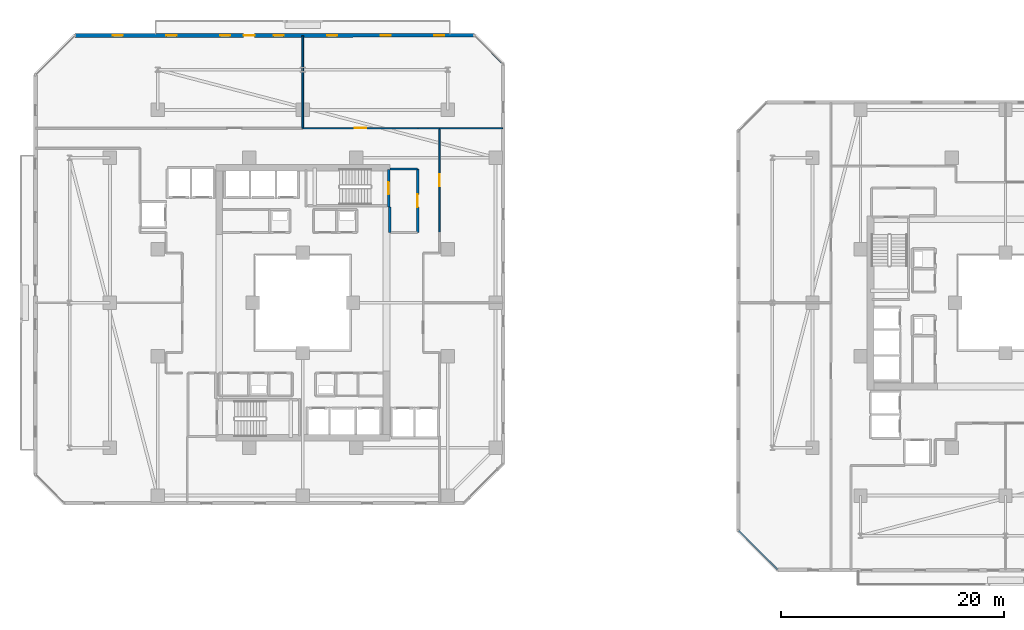
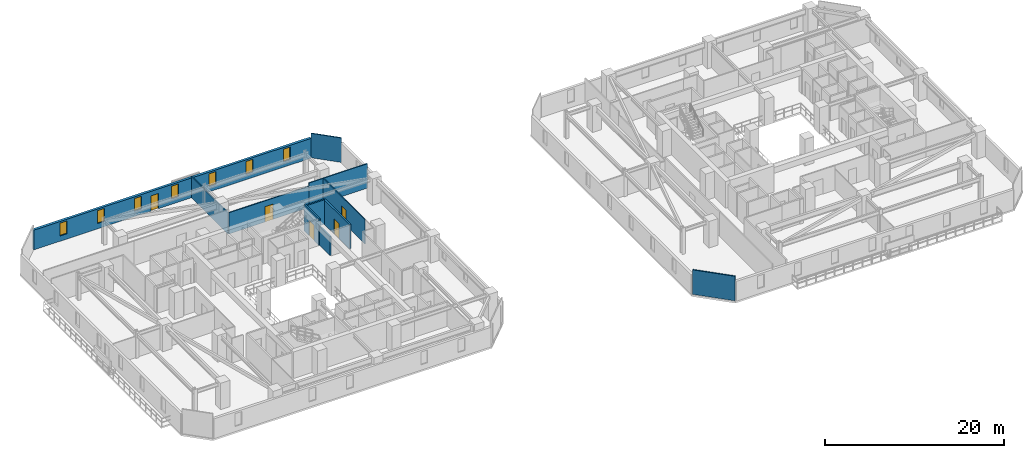
# One storey, part 22 of 33: 12 walls, 7 windows, 5 doors, 12 openings.
"""IFC4 building model written with IfcOpenShell, lengths in metres."""

import ifcopenshell
import ifcopenshell.guid

model = None  # the IFC model being written
_history = None  # IfcOwnerHistory: only IFC2X3 demands one
_inside = {}  # id of a spatial element -> (the spatial element, [elements in it])
_under = {}  # id of a project, library or spatial element -> (it, [spatial elements below it])
_declared = {}  # id of a project -> (the project, [libraries it declares])
_typed = {}  # id of a type object -> (the type object, [elements of that type])
_made_of = {}  # id of a material, layer set ... -> (it, [elements and type objects made of it])


def new_model(schema):
    """Start an empty IFC model of exactly this schema.

    Asked for "IFC4X3", IfcOpenShell would pick the latest addendum, in which some entities
    have other attributes; the version numbers below select the first issue.
    IFC2X3 requires an IfcOwnerHistory on every rooted entity: one is made here for all.
    """
    global model, _history
    if schema == "IFC4X3":
        model = ifcopenshell.file(schema_version=(4, 3, 0, 0))
    else:
        model = ifcopenshell.file(schema=schema)
    _inside.clear()
    _under.clear()
    _declared.clear()
    _typed.clear()
    _made_of.clear()
    _history = None
    if model.schema == "IFC2X3":
        org = make("IfcOrganization", Name="unknown")
        user = make(
            "IfcPersonAndOrganization",
            ThePerson=make("IfcPerson", FamilyName="unknown"),
            TheOrganization=org,
        )
        app = make(
            "IfcApplication",
            ApplicationDeveloper=org,
            Version="unknown",
            ApplicationFullName="unknown",
            ApplicationIdentifier="unknown",
        )
        _history = make(
            "IfcOwnerHistory",
            OwningUser=user,
            OwningApplication=app,
            ChangeAction="ADDED",
            CreationDate=0,
        )
    return model


def make(cls, **values):
    """One entity of the class cls with the attributes given. An attribute that is None is left unset."""
    return model.create_entity(
        cls, **{name: value for name, value in values.items() if value is not None}
    )


def rooted(cls, **values):
    """An entity with a GlobalId (a new one), such as an element, a storey or a relation."""
    return make(cls, GlobalId=ifcopenshell.guid.new(), OwnerHistory=_history, **values)


def si_unit(unit_type, name, prefix=None):
    """IfcSIUnit, for example si_unit("LENGTHUNIT", "METRE", prefix="MILLI")."""
    return make("IfcSIUnit", UnitType=unit_type, Prefix=prefix, Name=name)


def assignment(units):
    """IfcUnitAssignment: the units of a project."""
    return None if units is None else make("IfcUnitAssignment", Units=units)


def point(xyz):
    """IfcCartesianPoint."""
    return None if xyz is None else make("IfcCartesianPoint", Coordinates=xyz)


def direction(xyz):
    """IfcDirection."""
    return None if xyz is None else make("IfcDirection", DirectionRatios=xyz)


def frame(location, z_axis=None, x_axis=None):
    """IfcAxis2Placement3D, a coordinate frame: its origin and axes. An axis left out is left unset."""
    return make(
        "IfcAxis2Placement3D",
        Location=point(location),
        Axis=direction(z_axis),
        RefDirection=direction(x_axis),
    )


def frame_2d(location, x_axis=None):
    """IfcAxis2Placement2D, a coordinate frame in the plane: its origin and x axis."""
    return make(
        "IfcAxis2Placement2D", Location=point(location), RefDirection=direction(x_axis)
    )


def origin():
    """The frame at (0, 0, 0) with its axes left unset."""
    return frame((0.0, 0.0, 0.0))


def place(relative_to, where):
    """IfcLocalPlacement: puts the frame where relative to a parent placement (None: the world)."""
    return make(
        "IfcLocalPlacement", PlacementRelTo=relative_to, RelativePlacement=where
    )


def context(
    kind, dimensions, precision=None, world=None, true_north=None, identifier=None
):
    """IfcGeometricRepresentationContext, for example the 3D "Model" context."""
    return make(
        "IfcGeometricRepresentationContext",
        ContextIdentifier=identifier,
        ContextType=kind,
        CoordinateSpaceDimension=dimensions,
        Precision=precision,
        WorldCoordinateSystem=world,
        TrueNorth=true_north,
    )


def subcontext(parent, identifier, kind, view, scale=None):
    """IfcGeometricRepresentationSubContext, for example "Body" below "Model"."""
    return make(
        "IfcGeometricRepresentationSubContext",
        ContextIdentifier=identifier,
        ContextType=kind,
        ParentContext=parent,
        TargetScale=scale,
        TargetView=view,
    )


def project(units=None, contexts=None):
    """IfcProject with its units and contexts."""
    return rooted(
        "IfcProject",
        Name="project",
        RepresentationContexts=contexts,
        UnitsInContext=assignment(units),
    )


def spatial(cls, under=None, at=None, **own):
    """A site, building, storey or space (cls), placed at a placement, below another one or the project."""
    s = rooted(cls, ObjectPlacement=at, **own)
    if under is not None:
        _under.setdefault(under.id(), (under, []))[1].append(s)
    return s


def profile(cls, at=None, kind="AREA", **sizes):
    """A parametric profile (cls). Its sizes go by their IFC names, for example OverallWidth=200.0."""
    return make(cls, ProfileType=kind, Position=at, **sizes)


def rectangle(**sizes):
    """IfcRectangleProfileDef."""
    return profile("IfcRectangleProfileDef", **sizes)


def extrude(swept, where, along, depth):
    """IfcExtrudedAreaSolid: the profile swept, set in the frame where, extruded along a direction by depth."""
    return make(
        "IfcExtrudedAreaSolid",
        SweptArea=swept,
        Position=where,
        ExtrudedDirection=direction(along),
        Depth=depth,
    )


def shape(context_of_items, identifier, shape_type, items):
    """IfcShapeRepresentation: the items that make up one representation, for example the "Body"."""
    return make(
        "IfcShapeRepresentation",
        ContextOfItems=context_of_items,
        RepresentationIdentifier=identifier,
        RepresentationType=shape_type,
        Items=items,
    )


def material(Name=None, Category=None):
    """IfcMaterial."""
    return make("IfcMaterial", Name=Name, Category=Category)


def layer(
    of_material, thickness, ventilated=None, Name=None, Category=None, Priority=None
):
    """IfcMaterialLayer: one layer of a wall or slab, of a material (None: an air gap)."""
    return make(
        "IfcMaterialLayer",
        Material=of_material,
        LayerThickness=thickness,
        IsVentilated=ventilated,
        Name=Name,
        Category=Category,
        Priority=Priority,
    )


def layer_set(layers, Name=None):
    """IfcMaterialLayerSet."""
    return make("IfcMaterialLayerSet", MaterialLayers=layers, LayerSetName=Name)


def made_of(thing, what):
    """Note that an element or type object is made of a material, layer set ...; save() writes the relation."""
    if what is not None:
        _made_of.setdefault(what.id(), (what, []))[1].append(thing)
    return thing


def type_object(cls, material=None, **own):
    """A type object (cls), such as IfcWallType, which elements share."""
    return made_of(rooted(cls, **own), material)


def element(
    cls,
    number,
    at=None,
    inside=None,
    cuts=None,
    type_object=None,
    material=None,
    context=None,
    identifier="Body",
    shape_type=None,
    held_by="IfcProductDefinitionShape",
    body=None,
    shapes=None,
    **own,
):
    """One element of the class cls, such as IfcWall. Its Tag is "e" and its number.

    at: its placement. inside: the storey or other place that contains it. cuts: it is an
    opening in that element (IfcRelVoidsElement). A single representation is given by context,
    identifier, shape_type and body (its items); several are given by shapes. held_by: the class
    of the entity that holds the representations. save() writes the other relations.
    """
    e = rooted(cls, Tag="e%d" % number, ObjectPlacement=at, **own)
    if body is not None:
        shapes = [shape(context, identifier, shape_type, body)]
    if shapes is not None:
        e.Representation = make(held_by, Representations=shapes)
    if inside is not None:
        _inside.setdefault(inside.id(), (inside, []))[1].append(e)
    if cuts is not None:
        rooted(
            "IfcRelVoidsElement", RelatingBuildingElement=cuts, RelatedOpeningElement=e
        )
    if type_object is not None:
        _typed.setdefault(type_object.id(), (type_object, []))[1].append(e)
    return made_of(e, material)


def fill(opening, filler):
    """IfcRelFillsElement: the door or window that sits in an opening."""
    return rooted(
        "IfcRelFillsElement",
        RelatingOpeningElement=opening,
        RelatedBuildingElement=filler,
    )


def aggregate(whole, parts):
    """IfcRelAggregates: a whole, such as a stair, and the parts it consists of."""
    return rooted("IfcRelAggregates", RelatingObject=whole, RelatedObjects=parts)


def save(model, path):
    """Write the relations noted so far, then the file.

    IfcRelAggregates (storeys below a building ...), IfcRelContainedInSpatialStructure (elements
    in a storey), IfcRelDefinesByType, IfcRelAssociatesMaterial and IfcRelDeclares: one each for
    every whole, place, type object, material and project.
    """
    for whole, parts in _under.values():
        aggregate(whole, parts)
    for where, things in _inside.values():
        rooted(
            "IfcRelContainedInSpatialStructure",
            RelatedElements=things,
            RelatingStructure=where,
        )
    for kind, things in _typed.values():
        rooted("IfcRelDefinesByType", RelatedObjects=things, RelatingType=kind)
    for what, things in _made_of.values():
        rooted("IfcRelAssociatesMaterial", RelatedObjects=things, RelatingMaterial=what)
    for by, libraries in _declared.values():
        rooted("IfcRelDeclares", RelatingContext=by, RelatedDefinitions=libraries)
    model.write(path)


model = new_model("IFC4")

# Units and contexts
model_context = context("Model", 3, precision=1e-05, world=origin(), true_north=direction((0.0, 1.0)))
body_context = subcontext(model_context, "Body", "Model", "MODEL_VIEW")
ifc_project = project(units=[si_unit("LENGTHUNIT", "METRE"), si_unit("AREAUNIT", "SQUARE_METRE"), si_unit("VOLUMEUNIT", "CUBIC_METRE"), si_unit("PLANEANGLEUNIT", "RADIAN"), si_unit("MASSUNIT", "GRAM", prefix="KILO")], contexts=[model_context])

# Site, building, storey
site_placement = place(None, origin())
site = spatial("IfcSite", under=ifc_project, at=site_placement, CompositionType="ELEMENT")
building_placement = place(site_placement, origin())
building = spatial("IfcBuilding", under=site, at=building_placement, Name="Thornwick Lancets Civic Towers", CompositionType="ELEMENT")
storey_placement = place(building_placement, frame((0.0, 0.0, 105.300048828125)))
storey = spatial("IfcBuildingStorey", under=building, at=storey_placement, Name="L27", CompositionType="ELEMENT", Elevation=105.300048828125)

# Wall, opening, door
ifc_material_1 = material(Name="Concrete blockwork C40/50", Category="masonry")
ifc_layer_1 = layer(ifc_material_1, 0.199951171875, Name="Concrete blockwork C40/50")
ifc_layer_set_1 = layer_set([ifc_layer_1], Name="Concrete blockwork C40/50")
wall_type_1 = type_object("IfcWallType", Name="WALL_COMP_200", PredefinedType="STANDARD", material=ifc_layer_set_1)
wall_1_placement = place(storey_placement, frame((35.800048828125, 33.300048828125, 0.0), z_axis=(0.0, 0.0, 1.0), x_axis=(0.0, 1.0, 0.0)))
wall_1 = element("IfcWall", 1, at=wall_1_placement, inside=storey, type_object=wall_type_1, Name="L27 Partition L27-A-FFLOB2 E2", PredefinedType="STANDARD", context=body_context, shape_type="SweptSolid", body=[
    extrude(rectangle(XDim=5.699951171875, YDim=0.199951171875, at=frame_2d((2.85009765625, 0.0))), origin(), (0.0, 0.0, 1.0), 3.33984375),
])
opening_1_placement = place(wall_1_placement, frame((2.27490234375, 0.0, 0.0)))
opening_1 = element("IfcOpeningElement", 2, at=opening_1_placement, cuts=wall_1, Name="Opening D-L27-1234", PredefinedType="OPENING", context=body_context, shape_type="SweptSolid", body=[
    extrude(rectangle(XDim=1.14990234375, YDim=2.10009765625, at=frame_2d((0.574951171875, 1.050048828125))), frame((0.0, 0.10986328125, 0.0), z_axis=(0.0, -1.0, 0.0), x_axis=(1.0, 0.0, 0.0)), (0.0, 0.0, 1.0), 0.219970703125),
])
ifc_material_2 = material(Name="Glazed fire-resisting steel", Category="steel")
door_type_1 = type_object("IfcDoorType", Name="DOOR_LOBBY_FD60", OperationType="NOTDEFINED", PredefinedType="DOOR", material=ifc_material_2)
door_1_placement = place(opening_1_placement, origin())
door_1 = element("IfcDoor", 3, at=door_1_placement, inside=storey, type_object=door_type_1, Name="L27 North Firefighting Lobby 2 Door", OperationType="SINGLE_SWING_LEFT", OverallHeight=2.10009765625, OverallWidth=1.14990234375, PredefinedType="DOOR", context=body_context, shape_type="SweptSolid", body=[
    extrude(rectangle(XDim=1.14990234375, YDim=2.10009765625, at=frame_2d((0.574951171875, 1.050048828125))), frame((0.0, 0.02490234375, 0.0), z_axis=(0.0, -1.0, 0.0), x_axis=(1.0, 0.0, 0.0)), (0.0, 0.0, 1.0), 0.050048828125),
])
fill(opening_1, door_1)

# Walls
wall_2_placement = place(storey_placement, frame((35.800048828125, 39.0, 0.0), z_axis=(0.0, 0.0, 1.0), x_axis=(-1.0, 0.0, 0.0)))
element("IfcWall", 4, at=wall_2_placement, inside=storey, type_object=wall_type_1, Name="L27 Partition L27-A-FFLOB2 E3", PredefinedType="STANDARD", context=body_context, shape_type="SweptSolid", body=[
    extrude(rectangle(XDim=2.5, YDim=0.199951171875, at=frame_2d((1.25, 0.0))), origin(), (0.0, 0.0, 1.0), 3.33984375),
])
wall_3_placement = place(storey_placement, frame((33.300048828125, 35.60009765625, 0.0), z_axis=(0.0, 0.0, 1.0), x_axis=(0.0, -1.0, 0.0)))
element("IfcWall", 5, at=wall_3_placement, inside=storey, type_object=wall_type_1, Name="L27 Partition L27-A-FFLOB2 E4", PredefinedType="STANDARD", context=body_context, shape_type="SweptSolid", body=[
    extrude(rectangle(XDim=2.300048828125, YDim=0.199951171875, at=frame_2d((1.14990234375, 0.0))), origin(), (0.0, 0.0, 1.0), 2.544921875),
])

# Wall, openings, door, windows
ifc_material_3 = material(Name="Insulated buff terracotta rainscreen on concrete C40/50", Category="masonry")
ifc_layer_2 = layer(ifc_material_3, 0.320068359375, Name="Insulated buff terracotta rainscreen on concrete C40/50")
ifc_layer_set_2 = layer_set([ifc_layer_2], Name="Insulated buff terracotta rainscreen on concrete C40/50")
wall_type_2 = type_object("IfcWallType", Name="WALL_EXT_TERRA_320", PredefinedType="STANDARD", material=ifc_layer_set_2)
wall_4_placement = place(storey_placement, frame((40.88134765625, 50.964599609375, 0.0), z_axis=(0.0, 0.0, 1.0), x_axis=(-0.999999996067, -8.8693006e-05, 0.0)))
wall_4 = element("IfcWall", 6, at=wall_4_placement, inside=storey, type_object=wall_type_2, Name="L27 Tower A Terracotta Facade Wall E4", PredefinedType="STANDARD", context=body_context, shape_type="SweptSolid", body=[
    extrude(rectangle(XDim=35.784423828125, YDim=0.320068359375, at=frame_2d((17.89208984375, 0.0))), origin(), (0.0, 0.0, 1.0), 2.699951171875),
])
opening_2_placement = place(wall_4_placement, frame((19.692138671875, 0.0, 0.0)))
opening_2 = element("IfcOpeningElement", 7, at=opening_2_placement, cuts=wall_4, Name="Opening D-BL-L27-AN", PredefinedType="OPENING", context=body_context, shape_type="SweptSolid", body=[
    extrude(rectangle(XDim=1.0, YDim=2.080078125, at=frame_2d((0.5, 1.0400390625))), frame((0.0, 0.169921875, 0.0), z_axis=(0.0, -1.0, 0.0), x_axis=(1.0, 0.0, 0.0)), (0.0, 0.0, 1.0), 0.340087890625),
])
opening_3_placement = place(wall_4_placement, frame((2.699951171875, 0.0, 0.719970703125)))
opening_3 = element("IfcOpeningElement", 8, at=opening_3_placement, cuts=wall_4, Name="Opening WL-01", PredefinedType="OPENING", context=body_context, shape_type="SweptSolid", body=[
    extrude(rectangle(XDim=0.89990234375, YDim=1.75, at=frame_2d((0.449951171875, 0.875))), frame((0.0, 0.169921875, 0.0), z_axis=(0.0, -1.0, 0.0), x_axis=(1.0, 0.0, 0.0)), (0.0, 0.0, 1.0), 0.340087890625),
])
opening_4_placement = place(wall_4_placement, frame((7.5, 0.0, 0.719970703125)))
opening_4 = element("IfcOpeningElement", 9, at=opening_4_placement, cuts=wall_4, Name="Opening WL-01", PredefinedType="OPENING", context=body_context, shape_type="SweptSolid", body=[
    extrude(rectangle(XDim=0.89990234375, YDim=1.75, at=frame_2d((0.449951171875, 0.875))), frame((0.0, 0.169921875, 0.0), z_axis=(0.0, -1.0, 0.0), x_axis=(1.0, 0.0, 0.0)), (0.0, 0.0, 1.0), 0.340087890625),
])
opening_5_placement = place(wall_4_placement, frame((12.300048828125, 0.0, 0.719970703125)))
opening_5 = element("IfcOpeningElement", 10, at=opening_5_placement, cuts=wall_4, Name="Opening WL-01", PredefinedType="OPENING", context=body_context, shape_type="SweptSolid", body=[
    extrude(rectangle(XDim=0.89990234375, YDim=1.75, at=frame_2d((0.449951171875, 0.875))), frame((0.0, 0.169921875, 0.0), z_axis=(0.0, -1.0, 0.0), x_axis=(1.0, 0.0, 0.0)), (0.0, 0.0, 1.0), 0.340087890625),
])
opening_6_placement = place(wall_4_placement, frame((17.10009765625, 0.0, 0.719970703125)))
opening_6 = element("IfcOpeningElement", 11, at=opening_6_placement, cuts=wall_4, Name="Opening WL-01", PredefinedType="OPENING", context=body_context, shape_type="SweptSolid", body=[
    extrude(rectangle(XDim=0.89990234375, YDim=1.75, at=frame_2d((0.449951171875, 0.875))), frame((0.0, 0.169921875, 0.0), z_axis=(0.0, -1.0, 0.0), x_axis=(1.0, 0.0, 0.0)), (0.0, 0.0, 1.0), 0.340087890625),
])
opening_7_placement = place(wall_4_placement, frame((21.89990234375, 0.0, 0.719970703125)))
opening_7 = element("IfcOpeningElement", 12, at=opening_7_placement, cuts=wall_4, Name="Opening WL-01", PredefinedType="OPENING", context=body_context, shape_type="SweptSolid", body=[
    extrude(rectangle(XDim=0.89990234375, YDim=1.75, at=frame_2d((0.449951171875, 0.875))), frame((0.0, 0.169921875, 0.0), z_axis=(0.0, -1.0, 0.0), x_axis=(1.0, 0.0, 0.0)), (0.0, 0.0, 1.0), 0.340087890625),
])
opening_8_placement = place(wall_4_placement, frame((26.699951171875, 0.0, 0.719970703125)))
opening_8 = element("IfcOpeningElement", 13, at=opening_8_placement, cuts=wall_4, Name="Opening WL-01", PredefinedType="OPENING", context=body_context, shape_type="SweptSolid", body=[
    extrude(rectangle(XDim=0.89990234375, YDim=1.75, at=frame_2d((0.449951171875, 0.875))), frame((0.0, 0.169921875, 0.0), z_axis=(0.0, -1.0, 0.0), x_axis=(1.0, 0.0, 0.0)), (0.0, 0.0, 1.0), 0.340087890625),
])
opening_9_placement = place(wall_4_placement, frame((31.5, 0.0, 0.719970703125)))
opening_9 = element("IfcOpeningElement", 14, at=opening_9_placement, cuts=wall_4, Name="Opening WL-01", PredefinedType="OPENING", context=body_context, shape_type="SweptSolid", body=[
    extrude(rectangle(XDim=0.89990234375, YDim=1.75, at=frame_2d((0.449951171875, 0.875))), frame((0.0, 0.169921875, 0.0), z_axis=(0.0, -1.0, 0.0), x_axis=(1.0, 0.0, 0.0)), (0.0, 0.0, 1.0), 0.340087890625),
])
ifc_material_4 = material(Name="Thermally broken glazed loggia doorset")
door_type_2 = type_object("IfcDoorType", Name="DOOR_BALC_1000", OperationType="NOTDEFINED", PredefinedType="DOOR", material=ifc_material_4)
door_2_placement = place(opening_2_placement, origin())
door_2 = element("IfcDoor", 15, at=door_2_placement, inside=storey, type_object=door_type_2, Name="L27 Tower A Loggia Balcony Door N", OperationType="SINGLE_SWING_RIGHT", OverallHeight=2.080078125, OverallWidth=1.0, PredefinedType="DOOR", context=body_context, shape_type="SweptSolid", body=[
    extrude(rectangle(XDim=1.0, YDim=2.080078125, at=frame_2d((0.5, 1.0400390625))), frame((0.0, 0.02490234375, 0.0), z_axis=(0.0, -1.0, 0.0), x_axis=(1.0, 0.0, 0.0)), (0.0, 0.0, 1.0), 0.050048828125),
])
fill(opening_2, door_2)
ifc_material_5 = material(Name="Clear low-e double glazing in bronze frame", Category="glass")
window_type = type_object("IfcWindowType", Name="WIN_LANCET_900", PartitioningType="SINGLE_PANEL", PredefinedType="WINDOW", material=ifc_material_5)
window_1_placement = place(opening_3_placement, origin())
window_1 = element("IfcWindow", 16, at=window_1_placement, inside=storey, type_object=window_type, Name="L27 Tower A Staggered Lancet Window E4-1", OverallHeight=1.75, OverallWidth=0.89990234375, PartitioningType="SINGLE_PANEL", PredefinedType="WINDOW", context=body_context, shape_type="SweptSolid", body=[
    extrude(rectangle(XDim=0.89990234375, YDim=1.75, at=frame_2d((0.449951171875, 0.875))), frame((0.0, 0.030029296875, 0.0), z_axis=(0.0, -1.0, 0.0), x_axis=(1.0, 0.0, 0.0)), (0.0, 0.0, 1.0), 0.06005859375),
])
fill(opening_3, window_1)
window_2_placement = place(opening_4_placement, origin())
window_2 = element("IfcWindow", 17, at=window_2_placement, inside=storey, type_object=window_type, Name="L27 Tower A Staggered Lancet Window E4-2", OverallHeight=1.75, OverallWidth=0.89990234375, PartitioningType="SINGLE_PANEL", PredefinedType="WINDOW", context=body_context, shape_type="SweptSolid", body=[
    extrude(rectangle(XDim=0.89990234375, YDim=1.75, at=frame_2d((0.449951171875, 0.875))), frame((0.0, 0.030029296875, 0.0), z_axis=(0.0, -1.0, 0.0), x_axis=(1.0, 0.0, 0.0)), (0.0, 0.0, 1.0), 0.06005859375),
])
fill(opening_4, window_2)
window_3_placement = place(opening_5_placement, origin())
window_3 = element("IfcWindow", 18, at=window_3_placement, inside=storey, type_object=window_type, Name="L27 Tower A Staggered Lancet Window E4-3", OverallHeight=1.75, OverallWidth=0.89990234375, PartitioningType="SINGLE_PANEL", PredefinedType="WINDOW", context=body_context, shape_type="SweptSolid", body=[
    extrude(rectangle(XDim=0.89990234375, YDim=1.75, at=frame_2d((0.449951171875, 0.875))), frame((0.0, 0.030029296875, 0.0), z_axis=(0.0, -1.0, 0.0), x_axis=(1.0, 0.0, 0.0)), (0.0, 0.0, 1.0), 0.06005859375),
])
fill(opening_5, window_3)
window_4_placement = place(opening_6_placement, origin())
window_4 = element("IfcWindow", 19, at=window_4_placement, inside=storey, type_object=window_type, Name="L27 Tower A Staggered Lancet Window E4-4", OverallHeight=1.75, OverallWidth=0.89990234375, PartitioningType="SINGLE_PANEL", PredefinedType="WINDOW", context=body_context, shape_type="SweptSolid", body=[
    extrude(rectangle(XDim=0.89990234375, YDim=1.75, at=frame_2d((0.449951171875, 0.875))), frame((0.0, 0.030029296875, 0.0), z_axis=(0.0, -1.0, 0.0), x_axis=(1.0, 0.0, 0.0)), (0.0, 0.0, 1.0), 0.06005859375),
])
fill(opening_6, window_4)
window_5_placement = place(opening_7_placement, origin())
window_5 = element("IfcWindow", 20, at=window_5_placement, inside=storey, type_object=window_type, Name="L27 Tower A Staggered Lancet Window E4-5", OverallHeight=1.75, OverallWidth=0.89990234375, PartitioningType="SINGLE_PANEL", PredefinedType="WINDOW", context=body_context, shape_type="SweptSolid", body=[
    extrude(rectangle(XDim=0.89990234375, YDim=1.75, at=frame_2d((0.449951171875, 0.875))), frame((0.0, 0.030029296875, 0.0), z_axis=(0.0, -1.0, 0.0), x_axis=(1.0, 0.0, 0.0)), (0.0, 0.0, 1.0), 0.06005859375),
])
fill(opening_7, window_5)
window_6_placement = place(opening_8_placement, origin())
window_6 = element("IfcWindow", 21, at=window_6_placement, inside=storey, type_object=window_type, Name="L27 Tower A Staggered Lancet Window E4-6", OverallHeight=1.75, OverallWidth=0.89990234375, PartitioningType="SINGLE_PANEL", PredefinedType="WINDOW", context=body_context, shape_type="SweptSolid", body=[
    extrude(rectangle(XDim=0.89990234375, YDim=1.75, at=frame_2d((0.449951171875, 0.875))), frame((0.0, 0.030029296875, 0.0), z_axis=(0.0, -1.0, 0.0), x_axis=(1.0, 0.0, 0.0)), (0.0, 0.0, 1.0), 0.06005859375),
])
fill(opening_8, window_6)
window_7_placement = place(opening_9_placement, origin())
window_7 = element("IfcWindow", 22, at=window_7_placement, inside=storey, type_object=window_type, Name="L27 Tower A Staggered Lancet Window E4-7", OverallHeight=1.75, OverallWidth=0.89990234375, PartitioningType="SINGLE_PANEL", PredefinedType="WINDOW", context=body_context, shape_type="SweptSolid", body=[
    extrude(rectangle(XDim=0.89990234375, YDim=1.75, at=frame_2d((0.449951171875, 0.875))), frame((0.0, 0.030029296875, 0.0), z_axis=(0.0, -1.0, 0.0), x_axis=(1.0, 0.0, 0.0)), (0.0, 0.0, 1.0), 0.06005859375),
])
fill(opening_9, window_7)

# Wall, opening, door
ifc_material_6 = material(Name="Acoustic gypsum board partition")
ifc_layer_3 = layer(ifc_material_6, 0.1201171875, Name="Acoustic gypsum board partition")
ifc_layer_set_3 = layer_set([ifc_layer_3], Name="Acoustic gypsum board partition")
wall_type_3 = type_object("IfcWallType", Name="WALL_PART_120", PredefinedType="PARTITIONING", material=ifc_layer_set_3)
wall_5_placement = place(storey_placement, frame((37.75, 33.300048828125, 0.0), z_axis=(0.0, 0.0, 1.0), x_axis=(0.0, 1.0, 0.0)))
wall_5 = element("IfcWall", 23, at=wall_5_placement, inside=storey, type_object=wall_type_3, Name="L27 Partition L27-A-E2 E3", PredefinedType="PARTITIONING", context=body_context, shape_type="SweptSolid", body=[
    extrude(rectangle(XDim=9.349853515625, YDim=0.1201171875, at=frame_2d((4.6748046875, 0.0))), origin(), (0.0, 0.0, 1.0), 3.33984375),
])
opening_10_placement = place(wall_5_placement, frame((4.14990234375, 0.0, 0.0)))
opening_10 = element("IfcOpeningElement", 24, at=opening_10_placement, cuts=wall_5, Name="Opening D-L27-1260", PredefinedType="OPENING", context=body_context, shape_type="SweptSolid", body=[
    extrude(rectangle(XDim=1.050048828125, YDim=2.10009765625, at=frame_2d((0.52490234375, 1.050048828125))), frame((0.0, 0.070068359375, 0.0), z_axis=(0.0, -1.0, 0.0), x_axis=(1.0, 0.0, 0.0)), (0.0, 0.0, 1.0), 0.14013671875),
])
ifc_material_7 = material(Name="Glazed European oak executive doorset")
door_type_3 = type_object("IfcDoorType", Name="DOOR_OFFICE_1050", OperationType="NOTDEFINED", PredefinedType="DOOR", material=ifc_material_7)
door_3_placement = place(opening_10_placement, origin())
door_3 = element("IfcDoor", 25, at=door_3_placement, inside=storey, type_object=door_type_3, Name="L27 Tower A Visitors Reception and Waiting Door", OperationType="SINGLE_SWING_LEFT", OverallHeight=2.10009765625, OverallWidth=1.050048828125, PredefinedType="DOOR", context=body_context, shape_type="SweptSolid", body=[
    extrude(rectangle(XDim=1.050048828125, YDim=2.10009765625, at=frame_2d((0.52490234375, 1.050048828125))), frame((0.0, 0.02490234375, 0.0), z_axis=(0.0, -1.0, 0.0), x_axis=(1.0, 0.0, 0.0)), (0.0, 0.0, 1.0), 0.050048828125),
])
fill(opening_10, door_3)

# Walls
wall_6_placement = place(storey_placement, frame((37.75, 42.64990234375, 0.0), z_axis=(0.0, 0.0, 1.0), x_axis=(1.0, 0.0, 0.0)))
element("IfcWall", 26, at=wall_6_placement, inside=storey, type_object=wall_type_3, Name="L27 Partition L27-A-E2 E4", PredefinedType="PARTITIONING", context=body_context, shape_type="SweptSolid", body=[
    extrude(rectangle(XDim=5.669921875, YDim=0.1201171875, at=frame_2d((2.8349609375, 0.0))), origin(), (0.0, 0.0, 1.0), 3.33984375),
])
wall_7_placement = place(storey_placement, frame((37.75, 42.64990234375, 0.0), z_axis=(0.0, 0.0, 1.0), x_axis=(-1.0, 0.0, 0.0)))
element("IfcWall", 27, at=wall_7_placement, inside=storey, type_object=wall_type_3, Name="L27 Partition L27-A-N-OFF E1", PredefinedType="PARTITIONING", context=body_context, shape_type="SweptSolid", body=[
    extrude(rectangle(XDim=1.89990234375, YDim=0.1201171875, at=frame_2d((0.949951171875, 0.0))), origin(), (0.0, 0.0, 1.0), 3.33984375),
])

# Wall, opening, door
wall_8_placement = place(storey_placement, frame((35.85009765625, 42.64990234375, 0.0), z_axis=(0.0, 0.0, 1.0), x_axis=(-1.0, 0.0, 0.0)))
wall_8 = element("IfcWall", 28, at=wall_8_placement, inside=storey, type_object=wall_type_3, Name="L27 Partition L27-A-N-OFF E2", PredefinedType="PARTITIONING", context=body_context, shape_type="SweptSolid", body=[
    extrude(rectangle(XDim=10.35009765625, YDim=0.1201171875, at=frame_2d((5.175048828125, 0.0))), origin(), (0.0, 0.0, 1.0), 2.89501953125),
])
opening_11_placement = place(wall_8_placement, frame((4.64990234375, 0.0, 0.0)))
opening_11 = element("IfcOpeningElement", 29, at=opening_11_placement, cuts=wall_8, Name="Opening D-L27-1262", PredefinedType="OPENING", context=body_context, shape_type="SweptSolid", body=[
    extrude(rectangle(XDim=1.050048828125, YDim=2.10009765625, at=frame_2d((0.52490234375, 1.050048828125))), frame((0.0, 0.070068359375, 0.0), z_axis=(0.0, -1.0, 0.0), x_axis=(1.0, 0.0, 0.0)), (0.0, 0.0, 1.0), 0.14013671875),
])
door_4_placement = place(opening_11_placement, origin())
door_4 = element("IfcDoor", 30, at=door_4_placement, inside=storey, type_object=door_type_3, Name="L27 Tower A North Policy Office Door", OperationType="SINGLE_SWING_LEFT", OverallHeight=2.10009765625, OverallWidth=1.050048828125, PredefinedType="DOOR", context=body_context, shape_type="SweptSolid", body=[
    extrude(rectangle(XDim=1.050048828125, YDim=2.10009765625, at=frame_2d((0.52490234375, 1.050048828125))), frame((0.0, 0.02490234375, 0.0), z_axis=(0.0, -1.0, 0.0), x_axis=(1.0, 0.0, 0.0)), (0.0, 0.0, 1.0), 0.050048828125),
])
fill(opening_11, door_4)

# Walls
wall_9_placement = place(storey_placement, frame((40.92529296875, 50.919921875, 0.0), z_axis=(0.0, 0.0, 1.0), x_axis=(0.707106781187, -0.707106781187, 0.0)))
element("IfcWall", 31, at=wall_9_placement, inside=storey, type_object=wall_type_3, Name="L27 Partition L27-A-N-OFF E5", PredefinedType="PARTITIONING", context=body_context, shape_type="SweptSolid", body=[
    extrude(rectangle(XDim=3.52783203125, YDim=0.1201171875, at=frame_2d((1.763916015625, 0.0))), origin(), (0.0, 0.0, 1.0), 3.33984375),
])
ifc_material_8 = material(Name="Twin-stud acoustic gypsum board")
ifc_layer_4 = layer(ifc_material_8, 0.14990234375, Name="Twin-stud acoustic gypsum board")
ifc_layer_set_4 = layer_set([ifc_layer_4], Name="Twin-stud acoustic gypsum board")
wall_type_4 = type_object("IfcWallType", Name="WALL_PART_150", PredefinedType="PARTITIONING", material=ifc_layer_set_4)
wall_10_placement = place(storey_placement, frame((25.5, 50.919921875, 0.0), z_axis=(0.0, 0.0, 1.0), x_axis=(0.0, -1.0, 0.0)))
element("IfcWall", 32, at=wall_10_placement, inside=storey, type_object=wall_type_4, Name="L27 Partition L27-A-N-CONF E5", PredefinedType="PARTITIONING", context=body_context, shape_type="SweptSolid", body=[
    extrude(rectangle(XDim=8.27001953125, YDim=0.14990234375, at=frame_2d((4.135009765625, 0.0))), origin(), (0.0, 0.0, 1.0), 2.877685546875),
])
wall_11_placement = place(storey_placement, frame((68.056640625, 3.080078125, 0.0), z_axis=(0.0, 0.0, 1.0), x_axis=(-0.707106781187, 0.707106781187, 0.0)))
element("IfcWall", 33, at=wall_11_placement, inside=storey, type_object=wall_type_4, Name="L27 Partition L27-B-N-CONF E3", PredefinedType="PARTITIONING", context=body_context, shape_type="SweptSolid", body=[
    extrude(rectangle(XDim=4.91650390625, YDim=0.14990234375, at=frame_2d((2.458251953125, 0.0))), origin(), (0.0, 0.0, 1.0), 3.33984375),
])

# Wall, opening, door
ifc_material_9 = material(Name="Concrete C40/50", Category="concrete")
ifc_layer_5 = layer(ifc_material_9, 0.199951171875, Name="Concrete C40/50")
ifc_layer_set_5 = layer_set([ifc_layer_5], Name="Concrete C40/50")
wall_type_5 = type_object("IfcWallType", Name="WALL_SHAFT_200", PredefinedType="SHEAR", material=ifc_layer_set_5)
wall_12_placement = place(storey_placement, frame((33.199951171875, 38.949951171875, 0.0), z_axis=(0.0, 0.0, 1.0), x_axis=(0.0, -1.0, 0.0)))
wall_12 = element("IfcWall", 34, at=wall_12_placement, inside=storey, type_object=wall_type_5, Name="L27 ST-A2 Fire Stair Core Wall NEAR", PredefinedType="SHEAR", context=body_context, shape_type="SweptSolid", body=[
    extrude(rectangle(XDim=3.349853515625, YDim=0.199951171875, at=frame_2d((1.6748046875, 0.0))), origin(), (0.0, 0.0, 1.0), 3.599853515625),
])
opening_12_placement = place(wall_12_placement, frame((1.125, 0.0, 0.0)))
opening_12 = element("IfcOpeningElement", 35, at=opening_12_placement, cuts=wall_12, Name="Opening D-ST-A2-L27", PredefinedType="OPENING", context=body_context, shape_type="SweptSolid", body=[
    extrude(rectangle(XDim=1.10009765625, YDim=2.10009765625, at=frame_2d((0.550048828125, 1.050048828125))), frame((0.0, 0.10986328125, 0.0), z_axis=(0.0, -1.0, 0.0), x_axis=(1.0, 0.0, 0.0)), (0.0, 0.0, 1.0), 0.219970703125),
])
ifc_material_10 = material(Name="Fire-resisting steel and hardwood", Category="steel")
door_type_4 = type_object("IfcDoorType", Name="DOOR_STAIR_FD60", OperationType="NOTDEFINED", PredefinedType="DOOR", material=ifc_material_10)
door_5_placement = place(opening_12_placement, origin())
door_5 = element("IfcDoor", 36, at=door_5_placement, inside=storey, type_object=door_type_4, Name="L27 ST-A2 Exit Stair Door", OperationType="SINGLE_SWING_LEFT", OverallHeight=2.10009765625, OverallWidth=1.10009765625, PredefinedType="DOOR", context=body_context, shape_type="SweptSolid", body=[
    extrude(rectangle(XDim=1.10009765625, YDim=2.10009765625, at=frame_2d((0.550048828125, 1.050048828125))), frame((0.0, 0.02490234375, 0.0), z_axis=(0.0, -1.0, 0.0), x_axis=(1.0, 0.0, 0.0)), (0.0, 0.0, 1.0), 0.050048828125),
])
fill(opening_12, door_5)

save(model, "model.ifc")
